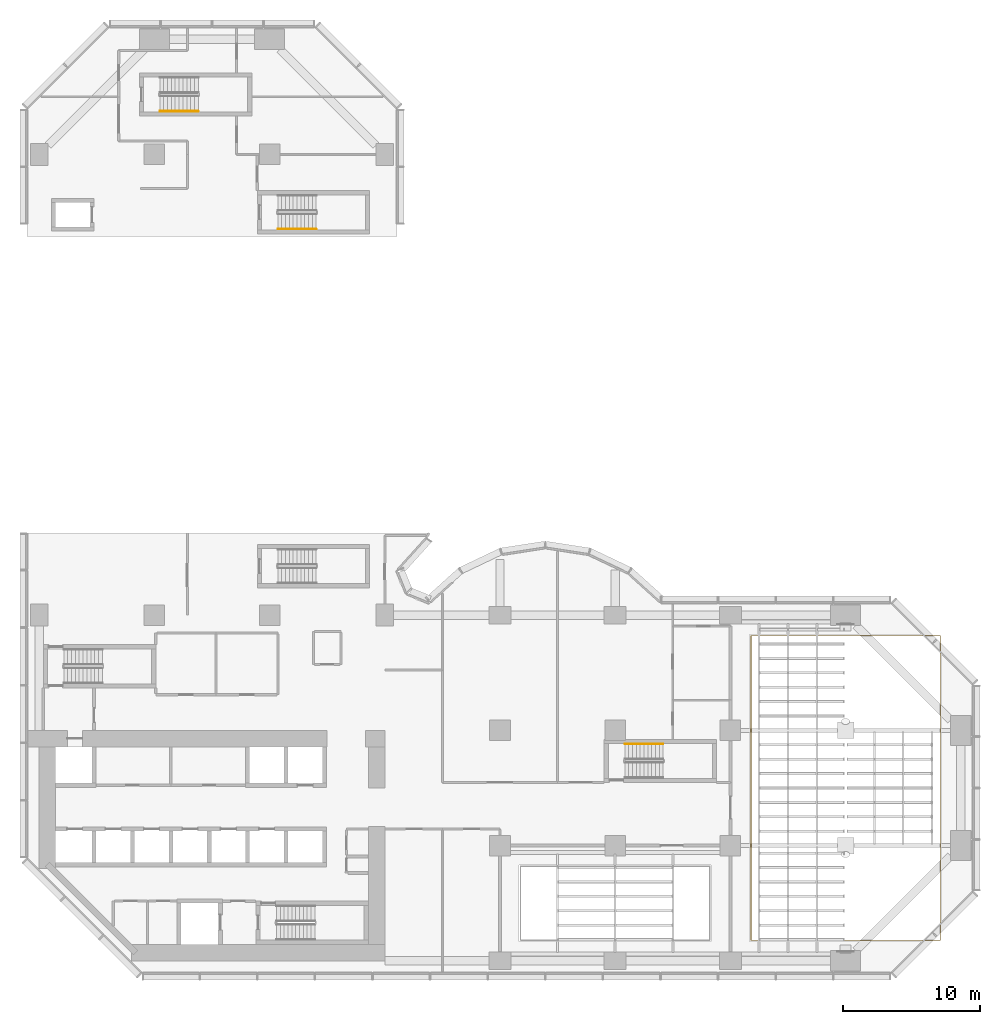
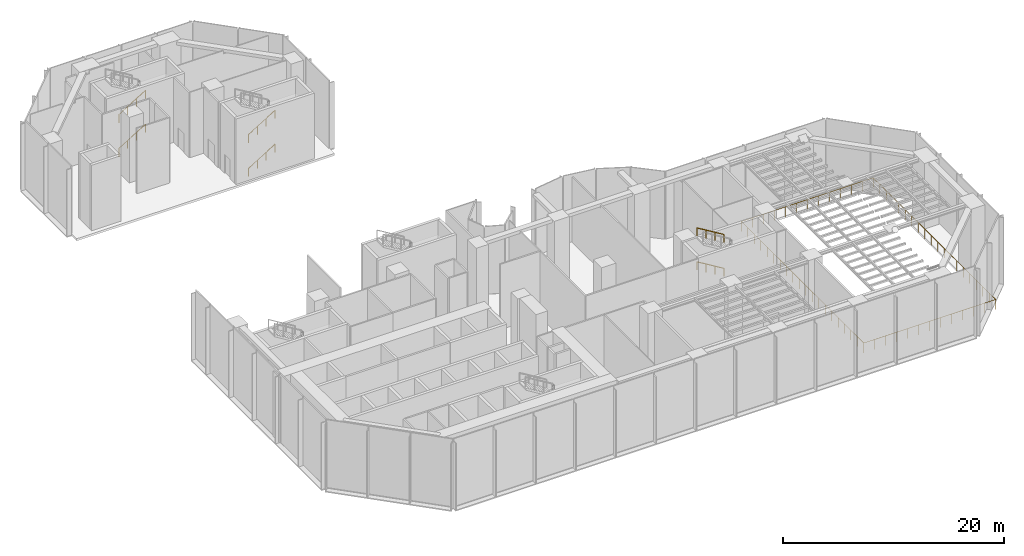
# One storey, part 21 of 22: 7 railings.
"""IFC4 building model written with IfcOpenShell, lengths in metres."""

from ifc_helpers import new_model, si_unit, direction, frame, origin, origin_2d, place, context, subcontext, project, spatial, circle, extrude, material, type_object, element, save


model = new_model("IFC4")

# Units and contexts
model_context = context("Model", 3, precision=1e-05, world=origin(), true_north=direction((0.0, 1.0)))
body_context = subcontext(model_context, "Body", "Model", "MODEL_VIEW")
ifc_project = project(units=[si_unit("LENGTHUNIT", "METRE"), si_unit("AREAUNIT", "SQUARE_METRE"), si_unit("VOLUMEUNIT", "CUBIC_METRE"), si_unit("PLANEANGLEUNIT", "RADIAN"), si_unit("MASSUNIT", "GRAM", prefix="KILO")], contexts=[model_context])

# Site, building, storey
site_placement = place(None, origin())
site = spatial("IfcSite", under=ifc_project, at=site_placement, CompositionType="ELEMENT")
building_placement = place(site_placement, origin())
building = spatial("IfcBuilding", under=site, at=building_placement, Name="Brevane Broadcast Tower", CompositionType="ELEMENT")
storey_placement = place(building_placement, frame((0.0, 0.0, 20.0)))
storey = spatial("IfcBuildingStorey", under=building, at=storey_placement, Name="L03", CompositionType="ELEMENT", Elevation=20.0)

# Railings
ifc_material_1 = material(Name="Steel S355", Category="steel")
railing_type_1 = type_object("IfcRailingType", Name="Exit stair handrail", PredefinedType="HANDRAIL", material=ifc_material_1)
for number, where, name in (
    (1, (45.5, 15.800048828125, 2.04541015625), "L03 ST-4 stair handrail 2"),
    (2, (45.5, 15.800048828125, 5.79541015625), "L03 ST-4 stair handrail 4"),
):
    element("IfcRailing", number, at=place(storey_placement, frame(where)), inside=storey, type_object=railing_type_1, Name=name, PredefinedType="HANDRAIL", context=body_context, shape_type="SweptSolid", body=[
        extrude(circle(Radius=0.02392578125, at=origin_2d()), frame((0.0, 0.0, 0.8759765625), z_axis=(-0.854169791009, 0.0, 0.51999420009), x_axis=(0.0, -1.0, 0.0)), (0.0, 0.0, 1.0), 3.278076171875),
        extrude(circle(Radius=0.02099609375, at=origin_2d()), origin(), (0.0, 0.0, 1.0), 0.851806640625),
        extrude(circle(Radius=0.02099609375, at=origin_2d()), frame((-0.933349609375, 0.0, 0.568115234375)), (0.0, 0.0, 1.0), 0.851806640625),
        extrude(circle(Radius=0.02099609375, at=origin_2d()), frame((-1.86669921875, 0.0, 1.136474609375)), (0.0, 0.0, 1.0), 0.851806640625),
        extrude(circle(Radius=0.02099609375, at=origin_2d()), frame((-2.800048828125, 0.0, 1.70458984375)), (0.0, 0.0, 1.0), 0.851806640625),
    ])
for number, where, name in (
    (3, (17.39990234375, 53.35009765625, 0.17041015625), "L03 ST-5 stair handrail 1"),
    (4, (17.39990234375, 53.35009765625, 3.92041015625), "L03 ST-5 stair handrail 3"),
    (5, (8.800048828125, 61.949951171875, 0.17041015625), "L03 ST-6 stair handrail 1"),
    (6, (8.800048828125, 61.949951171875, 3.92041015625), "L03 ST-6 stair handrail 3"),
):
    element("IfcRailing", number, at=place(storey_placement, frame(where)), inside=storey, type_object=railing_type_1, Name=name, PredefinedType="HANDRAIL", context=body_context, shape_type="SweptSolid", body=[
        extrude(circle(Radius=0.02392578125, at=origin_2d()), frame((0.0, 0.0, 0.8759765625), z_axis=(0.854169791009, 0.0, 0.51999420009), x_axis=(0.0, 1.0, 0.0)), (0.0, 0.0, 1.0), 3.278076171875),
        extrude(circle(Radius=0.02099609375, at=origin_2d()), origin(), (0.0, 0.0, 1.0), 0.851806640625),
        extrude(circle(Radius=0.02099609375, at=origin_2d()), frame((0.933349609375, 0.0, 0.568115234375)), (0.0, 0.0, 1.0), 0.851806640625),
        extrude(circle(Radius=0.02099609375, at=origin_2d()), frame((1.86669921875, 0.0, 1.136474609375)), (0.0, 0.0, 1.0), 0.851806640625),
        extrude(circle(Radius=0.02099609375, at=origin_2d()), frame((2.800048828125, 0.0, 1.70458984375)), (0.0, 0.0, 1.0), 0.851806640625),
    ])
ifc_material_2 = material(Name="Stainless steel 1.4404", Category="steel")
railing_type_2 = type_object("IfcRailingType", Name="Studio void guard 1100", PredefinedType="GUARDRAIL", material=ifc_material_2)
railing_placement = place(storey_placement, frame((51.89990234375, 1.5, 0.0)))
element("IfcRailing", 7, at=railing_placement, inside=storey, type_object=railing_type_2, Name="Studio void guard S1", PredefinedType="GUARDRAIL", context=body_context, shape_type="SweptSolid", body=[
    extrude(circle(Radius=0.02392578125, at=origin_2d()), frame((0.0, 0.0, 1.076171875), z_axis=(0.0, 1.0, 0.0), x_axis=(-1.0, 0.0, 0.0)), (0.0, 0.0, 1.0), 22.199951171875),
    extrude(circle(Radius=0.02392578125, at=origin_2d()), frame((0.0, 22.199951171875, 1.076171875), z_axis=(1.0, 0.0, 0.0), x_axis=(0.0, 1.0, 0.0)), (0.0, 0.0, 1.0), 13.800048828125),
    extrude(circle(Radius=0.02392578125, at=origin_2d()), frame((13.800048828125, 22.199951171875, 1.076171875), z_axis=(0.0, -1.0, 0.0), x_axis=(1.0, 0.0, 0.0)), (0.0, 0.0, 1.0), 22.199951171875),
    extrude(circle(Radius=0.02392578125, at=origin_2d()), frame((13.800048828125, 0.0, 1.076171875), z_axis=(-1.0, 0.0, 0.0), x_axis=(0.0, -1.0, 0.0)), (0.0, 0.0, 1.0), 13.800048828125),
    extrude(circle(Radius=0.02099609375, at=origin_2d()), origin(), (0.0, 0.0, 1.0), 1.052001953125),
    extrude(circle(Radius=0.02099609375, at=origin_2d()), frame((0.0, 1.16845703125, 0.0)), (0.0, 0.0, 1.0), 1.052001953125),
    extrude(circle(Radius=0.02099609375, at=origin_2d()), frame((0.0, 2.3369140625, 0.0)), (0.0, 0.0, 1.0), 1.052001953125),
    extrude(circle(Radius=0.02099609375, at=origin_2d()), frame((0.0, 3.50537109375, 0.0)), (0.0, 0.0, 1.0), 1.052001953125),
    extrude(circle(Radius=0.02099609375, at=origin_2d()), frame((0.0, 4.673583984375, 0.0)), (0.0, 0.0, 1.0), 1.052001953125),
    extrude(circle(Radius=0.02099609375, at=origin_2d()), frame((0.0, 5.842041015625, 0.0)), (0.0, 0.0, 1.0), 1.052001953125),
    extrude(circle(Radius=0.02099609375, at=origin_2d()), frame((0.0, 7.010498046875, 0.0)), (0.0, 0.0, 1.0), 1.052001953125),
    extrude(circle(Radius=0.02099609375, at=origin_2d()), frame((0.0, 8.178955078125, 0.0)), (0.0, 0.0, 1.0), 1.052001953125),
    extrude(circle(Radius=0.02099609375, at=origin_2d()), frame((0.0, 9.347412109375, 0.0)), (0.0, 0.0, 1.0), 1.052001953125),
    extrude(circle(Radius=0.02099609375, at=origin_2d()), frame((0.0, 10.515869140625, 0.0)), (0.0, 0.0, 1.0), 1.052001953125),
    extrude(circle(Radius=0.02099609375, at=origin_2d()), frame((0.0, 11.68408203125, 0.0)), (0.0, 0.0, 1.0), 1.052001953125),
    extrude(circle(Radius=0.02099609375, at=origin_2d()), frame((0.0, 12.8525390625, 0.0)), (0.0, 0.0, 1.0), 1.052001953125),
    extrude(circle(Radius=0.02099609375, at=origin_2d()), frame((0.0, 14.02099609375, 0.0)), (0.0, 0.0, 1.0), 1.052001953125),
    extrude(circle(Radius=0.02099609375, at=origin_2d()), frame((0.0, 15.189453125, 0.0)), (0.0, 0.0, 1.0), 1.052001953125),
    extrude(circle(Radius=0.02099609375, at=origin_2d()), frame((0.0, 16.35791015625, 0.0)), (0.0, 0.0, 1.0), 1.052001953125),
    extrude(circle(Radius=0.02099609375, at=origin_2d()), frame((0.0, 17.5263671875, 0.0)), (0.0, 0.0, 1.0), 1.052001953125),
    extrude(circle(Radius=0.02099609375, at=origin_2d()), frame((0.0, 18.694580078125, 0.0)), (0.0, 0.0, 1.0), 1.052001953125),
    extrude(circle(Radius=0.02099609375, at=origin_2d()), frame((0.0, 19.863037109375, 0.0)), (0.0, 0.0, 1.0), 1.052001953125),
    extrude(circle(Radius=0.02099609375, at=origin_2d()), frame((0.0, 21.031494140625, 0.0)), (0.0, 0.0, 1.0), 1.052001953125),
    extrude(circle(Radius=0.02099609375, at=origin_2d()), frame((0.0, 22.199951171875, 0.0)), (0.0, 0.0, 1.0), 1.052001953125),
    extrude(circle(Radius=0.02099609375, at=origin_2d()), frame((1.14990234375, 22.199951171875, 0.0)), (0.0, 0.0, 1.0), 1.052001953125),
    extrude(circle(Radius=0.02099609375, at=origin_2d()), frame((2.300048828125, 22.199951171875, 0.0)), (0.0, 0.0, 1.0), 1.052001953125),
    extrude(circle(Radius=0.02099609375, at=origin_2d()), frame((3.449951171875, 22.199951171875, 0.0)), (0.0, 0.0, 1.0), 1.052001953125),
    extrude(circle(Radius=0.02099609375, at=origin_2d()), frame((4.60009765625, 22.199951171875, 0.0)), (0.0, 0.0, 1.0), 1.052001953125),
    extrude(circle(Radius=0.02099609375, at=origin_2d()), frame((5.75, 22.199951171875, 0.0)), (0.0, 0.0, 1.0), 1.052001953125),
    extrude(circle(Radius=0.02099609375, at=origin_2d()), frame((6.89990234375, 22.199951171875, 0.0)), (0.0, 0.0, 1.0), 1.052001953125),
    extrude(circle(Radius=0.02099609375, at=origin_2d()), frame((8.050048828125, 22.199951171875, 0.0)), (0.0, 0.0, 1.0), 1.052001953125),
    extrude(circle(Radius=0.02099609375, at=origin_2d()), frame((9.199951171875, 22.199951171875, 0.0)), (0.0, 0.0, 1.0), 1.052001953125),
    extrude(circle(Radius=0.02099609375, at=origin_2d()), frame((10.35009765625, 22.199951171875, 0.0)), (0.0, 0.0, 1.0), 1.052001953125),
    extrude(circle(Radius=0.02099609375, at=origin_2d()), frame((11.5, 22.199951171875, 0.0)), (0.0, 0.0, 1.0), 1.052001953125),
    extrude(circle(Radius=0.02099609375, at=origin_2d()), frame((12.650146484375, 22.199951171875, 0.0)), (0.0, 0.0, 1.0), 1.052001953125),
    extrude(circle(Radius=0.02099609375, at=origin_2d()), frame((13.800048828125, 22.199951171875, 0.0)), (0.0, 0.0, 1.0), 1.052001953125),
    extrude(circle(Radius=0.02099609375, at=origin_2d()), frame((13.800048828125, 21.031494140625, 0.0)), (0.0, 0.0, 1.0), 1.052001953125),
    extrude(circle(Radius=0.02099609375, at=origin_2d()), frame((13.800048828125, 19.863037109375, 0.0)), (0.0, 0.0, 1.0), 1.052001953125),
    extrude(circle(Radius=0.02099609375, at=origin_2d()), frame((13.800048828125, 18.694580078125, 0.0)), (0.0, 0.0, 1.0), 1.052001953125),
    extrude(circle(Radius=0.02099609375, at=origin_2d()), frame((13.800048828125, 17.5263671875, 0.0)), (0.0, 0.0, 1.0), 1.052001953125),
    extrude(circle(Radius=0.02099609375, at=origin_2d()), frame((13.800048828125, 16.35791015625, 0.0)), (0.0, 0.0, 1.0), 1.052001953125),
    extrude(circle(Radius=0.02099609375, at=origin_2d()), frame((13.800048828125, 15.189453125, 0.0)), (0.0, 0.0, 1.0), 1.052001953125),
    extrude(circle(Radius=0.02099609375, at=origin_2d()), frame((13.800048828125, 14.02099609375, 0.0)), (0.0, 0.0, 1.0), 1.052001953125),
    extrude(circle(Radius=0.02099609375, at=origin_2d()), frame((13.800048828125, 12.8525390625, 0.0)), (0.0, 0.0, 1.0), 1.052001953125),
    extrude(circle(Radius=0.02099609375, at=origin_2d()), frame((13.800048828125, 11.68408203125, 0.0)), (0.0, 0.0, 1.0), 1.052001953125),
    extrude(circle(Radius=0.02099609375, at=origin_2d()), frame((13.800048828125, 10.515869140625, 0.0)), (0.0, 0.0, 1.0), 1.052001953125),
    extrude(circle(Radius=0.02099609375, at=origin_2d()), frame((13.800048828125, 9.347412109375, 0.0)), (0.0, 0.0, 1.0), 1.052001953125),
    extrude(circle(Radius=0.02099609375, at=origin_2d()), frame((13.800048828125, 8.178955078125, 0.0)), (0.0, 0.0, 1.0), 1.052001953125),
    extrude(circle(Radius=0.02099609375, at=origin_2d()), frame((13.800048828125, 7.010498046875, 0.0)), (0.0, 0.0, 1.0), 1.052001953125),
    extrude(circle(Radius=0.02099609375, at=origin_2d()), frame((13.800048828125, 5.842041015625, 0.0)), (0.0, 0.0, 1.0), 1.052001953125),
    extrude(circle(Radius=0.02099609375, at=origin_2d()), frame((13.800048828125, 4.673583984375, 0.0)), (0.0, 0.0, 1.0), 1.052001953125),
    extrude(circle(Radius=0.02099609375, at=origin_2d()), frame((13.800048828125, 3.50537109375, 0.0)), (0.0, 0.0, 1.0), 1.052001953125),
    extrude(circle(Radius=0.02099609375, at=origin_2d()), frame((13.800048828125, 2.3369140625, 0.0)), (0.0, 0.0, 1.0), 1.052001953125),
    extrude(circle(Radius=0.02099609375, at=origin_2d()), frame((13.800048828125, 1.16845703125, 0.0)), (0.0, 0.0, 1.0), 1.052001953125),
    extrude(circle(Radius=0.02099609375, at=origin_2d()), frame((13.800048828125, 0.0, 0.0)), (0.0, 0.0, 1.0), 1.052001953125),
    extrude(circle(Radius=0.02099609375, at=origin_2d()), frame((12.650146484375, 0.0, 0.0)), (0.0, 0.0, 1.0), 1.052001953125),
    extrude(circle(Radius=0.02099609375, at=origin_2d()), frame((11.5, 0.0, 0.0)), (0.0, 0.0, 1.0), 1.052001953125),
    extrude(circle(Radius=0.02099609375, at=origin_2d()), frame((10.35009765625, 0.0, 0.0)), (0.0, 0.0, 1.0), 1.052001953125),
    extrude(circle(Radius=0.02099609375, at=origin_2d()), frame((9.199951171875, 0.0, 0.0)), (0.0, 0.0, 1.0), 1.052001953125),
    extrude(circle(Radius=0.02099609375, at=origin_2d()), frame((8.050048828125, 0.0, 0.0)), (0.0, 0.0, 1.0), 1.052001953125),
    extrude(circle(Radius=0.02099609375, at=origin_2d()), frame((6.89990234375, 0.0, 0.0)), (0.0, 0.0, 1.0), 1.052001953125),
    extrude(circle(Radius=0.02099609375, at=origin_2d()), frame((5.75, 0.0, 0.0)), (0.0, 0.0, 1.0), 1.052001953125),
    extrude(circle(Radius=0.02099609375, at=origin_2d()), frame((4.60009765625, 0.0, 0.0)), (0.0, 0.0, 1.0), 1.052001953125),
    extrude(circle(Radius=0.02099609375, at=origin_2d()), frame((3.449951171875, 0.0, 0.0)), (0.0, 0.0, 1.0), 1.052001953125),
    extrude(circle(Radius=0.02099609375, at=origin_2d()), frame((2.300048828125, 0.0, 0.0)), (0.0, 0.0, 1.0), 1.052001953125),
    extrude(circle(Radius=0.02099609375, at=origin_2d()), frame((1.14990234375, 0.0, 0.0)), (0.0, 0.0, 1.0), 1.052001953125),
])

save(model, "model.ifc")
